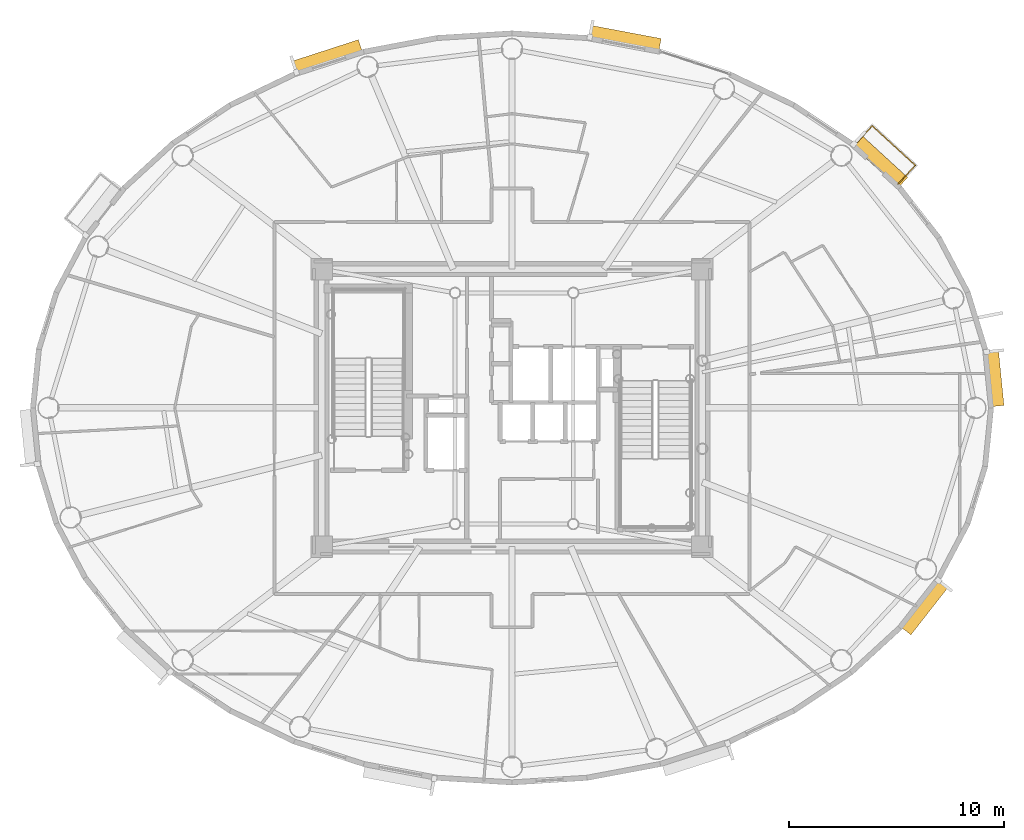
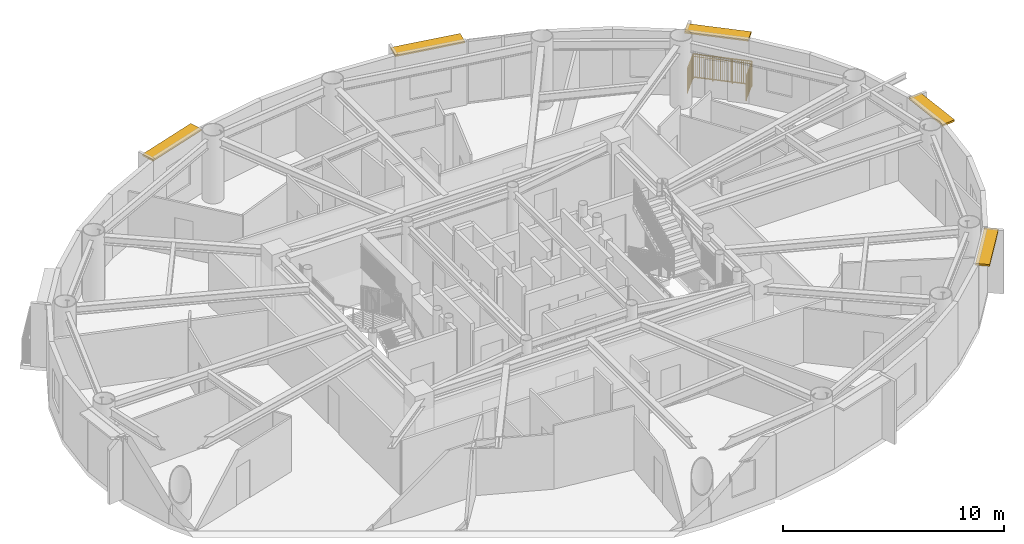
# One storey, part 17 of 17: 5 shading devices, 1 railing.
"""IFC4 building model written with IfcOpenShell, lengths in metres."""

from ifc_helpers import new_model, si_unit, direction, frame, origin, origin_2d, place, context, subcontext, project, spatial, rectangle, extrude, source, transform, mapped, material, layer, layer_set, type_object, element, save


model = new_model("IFC4")

# Units and contexts
model_context = context("Model", 3, precision=1e-05, world=origin(), true_north=direction((0.0, 1.0)))
body_context = subcontext(model_context, "Body", "Model", "MODEL_VIEW")
ifc_project = project(units=[si_unit("LENGTHUNIT", "METRE"), si_unit("AREAUNIT", "SQUARE_METRE"), si_unit("VOLUMEUNIT", "CUBIC_METRE"), si_unit("PLANEANGLEUNIT", "RADIAN"), si_unit("MASSUNIT", "GRAM", prefix="KILO")], contexts=[model_context])

# Site, building, storey
site_placement = place(None, origin())
site = spatial("IfcSite", under=ifc_project, at=site_placement, CompositionType="ELEMENT")
building_placement = place(site_placement, origin())
building = spatial("IfcBuilding", under=site, at=building_placement, Name="Linh Dai School and Residence Tower", CompositionType="ELEMENT")
storey_placement = place(building_placement, frame((0.0, 0.0, 276.75)))
storey = spatial("IfcBuildingStorey", under=building, at=storey_placement, Name="L68", CompositionType="ELEMENT", Elevation=276.75)

# Shading devices
ifc_material_1 = material(Name="Terracotta Ceramic Sunshade", Category="masonry")
ifc_layer = layer(ifc_material_1, 0.10009765625)
ifc_layer_set = layer_set([ifc_layer], Name="Terracotta Ceramic Sunshade")
shading_device_type = type_object("IfcShadingDeviceType", Name="SHD-TC-650", PredefinedType="USERDEFINED", material=ifc_layer_set)
shared_shape_1 = source(origin(), body_context, "Body", "SweptSolid", [
    extrude(rectangle(XDim=2.62353515625, YDim=0.64990234375, at=origin_2d()), origin(), (0.0, 0.0, 1.0), 0.10009765625),
])
shading_device_1_placement = place(storey_placement, frame((58.421875, 28.387939453125, 3.3798828125), z_axis=(0.0, 0.0, 1.0), x_axis=(0.100008034283, -0.994986629598, 0.0)))
element("IfcShadingDevice", 1, at=shading_device_1_placement, inside=storey, type_object=shading_device_type, Name="L68 Terracotta Horizontal Sunshade Band 01", ObjectType="SUNSHADE", PredefinedType="USERDEFINED", context=body_context, shape_type="MappedRepresentation", body=[
    mapped(shared_shape_1, transform((0.0, 0.0, 0.0), x_axis=(1.0, 0.0, 0.0), y_axis=(0.0, 1.0, 0.0), z_axis=(0.0, 0.0, 1.0), scale=1.0)),
])
shared_shape_2 = source(origin(), body_context, "Body", "SweptSolid", [
    extrude(rectangle(XDim=2.9541015625, YDim=0.64990234375, at=origin_2d()), origin(), (0.0, 0.0, 1.0), 0.10009765625),
])
shading_device_2_placement = place(storey_placement, frame((53.0888671875, 38.474609375, 3.3798828125), z_axis=(0.0, 0.0, 1.0), x_axis=(0.737105846394, -0.67577730889, 0.0)))
element("IfcShadingDevice", 2, at=shading_device_2_placement, inside=storey, type_object=shading_device_type, Name="L68 Terracotta Horizontal Sunshade Band 05", ObjectType="SUNSHADE", PredefinedType="USERDEFINED", context=body_context, shape_type="MappedRepresentation", body=[
    mapped(shared_shape_2, transform((0.0, 0.0, 0.0), x_axis=(1.0, 0.0, 0.0), y_axis=(0.0, 1.0, 0.0), z_axis=(0.0, 0.0, 1.0), scale=1.0)),
])
shared_shape_3 = source(origin(), body_context, "Body", "SweptSolid", [
    extrude(rectangle(XDim=3.323486328125, YDim=0.64990234375, at=origin_2d()), origin(), (0.0, 0.0, 1.0), 0.10009765625),
])
shading_device_3_placement = place(storey_placement, frame((41.24267578125, 44.160400390625, 3.3798828125), z_axis=(0.0, 0.0, 1.0), x_axis=(0.982785325002, -0.184751197452, 0.0)))
element("IfcShadingDevice", 3, at=shading_device_3_placement, inside=storey, type_object=shading_device_type, Name="L68 Terracotta Horizontal Sunshade Band 09", ObjectType="SUNSHADE", PredefinedType="USERDEFINED", context=body_context, shape_type="MappedRepresentation", body=[
    mapped(shared_shape_3, transform((0.0, 0.0, 0.0), x_axis=(1.0, 0.0, 0.0), y_axis=(0.0, 1.0, 0.0), z_axis=(0.0, 0.0, 1.0), scale=1.0)),
])
shared_shape_4 = source(origin(), body_context, "Body", "SweptSolid", [
    extrude(rectangle(XDim=3.26171875, YDim=0.64990234375, at=origin_2d()), origin(), (0.0, 0.0, 1.0), 0.10009765625),
])
shading_device_4_placement = place(storey_placement, frame((27.405029296875, 43.307373046875, 3.3798828125), z_axis=(0.0, 0.0, 1.0), x_axis=(0.951218243545, 0.308518805176, 0.0)))
element("IfcShadingDevice", 4, at=shading_device_4_placement, inside=storey, type_object=shading_device_type, Name="L68 Terracotta Horizontal Sunshade Band 13", ObjectType="SUNSHADE", PredefinedType="USERDEFINED", context=body_context, shape_type="MappedRepresentation", body=[
    mapped(shared_shape_4, transform((0.0, 0.0, 0.0), x_axis=(1.0, 0.0, 0.0), y_axis=(0.0, 1.0, 0.0), z_axis=(0.0, 0.0, 1.0), scale=1.0)),
])
shared_shape_5 = source(origin(), body_context, "Body", "SweptSolid", [
    extrude(rectangle(XDim=2.84033203125, YDim=0.64990234375, at=origin_2d()), origin(), (0.0, 0.0, 1.0), 0.10009765625),
])
shading_device_5_placement = place(storey_placement, frame((55.16650390625, 17.7646484375, 3.3798828125), z_axis=(0.0, 0.0, 1.0), x_axis=(-0.616310813471, -0.78750300393, 0.0)))
element("IfcShadingDevice", 5, at=shading_device_5_placement, inside=storey, type_object=shading_device_type, Name="L68 Terracotta Horizontal Sunshade Band 37", ObjectType="SUNSHADE", PredefinedType="USERDEFINED", context=body_context, shape_type="MappedRepresentation", body=[
    mapped(shared_shape_5, transform((0.0, 0.0, 0.0), x_axis=(1.0, 0.0, 0.0), y_axis=(0.0, 1.0, 0.0), z_axis=(0.0, 0.0, 1.0), scale=1.0)),
])

# Railing
ifc_material_2 = material(Name="Structural Steel S355JR", Category="steel")
railing_type = type_object("IfcRailingType", Name="RL-BAL-1400", PredefinedType="BALUSTRADE", material=ifc_material_2)
shared_shape_6 = source(origin(), body_context, "Body", "SweptSolid", [
    extrude(rectangle(XDim=0.048095703125, YDim=0.048095703125, at=origin_2d()), frame((0.0, 0.0, 1.3759765625), z_axis=(0.675930717816, 0.736965171981, 0.0), x_axis=(-0.736965171981, 0.675930717816, 0.0)), (0.0, 0.0, 1.0), 1.179931640625),
    extrude(rectangle(XDim=0.048095703125, YDim=0.048095703125, at=origin_2d()), frame((0.0, 0.0, 0.10009765625), z_axis=(0.675930717816, 0.736965171981, 0.0), x_axis=(-0.736965171981, 0.675930717816, 0.0)), (0.0, 0.0, 1.0), 1.179931640625),
    extrude(rectangle(XDim=0.030029296875, YDim=0.030029296875, at=origin_2d()), frame((0.0, 0.0, 1.239990234375), z_axis=(0.675930717816, 0.736965171981, 0.0), x_axis=(-0.736965171981, 0.675930717816, 0.0)), (0.0, 0.0, 1.0), 1.179931640625),
    extrude(rectangle(XDim=0.02001953125, YDim=0.02001953125, at=origin_2d()), frame((0.061279296875, 0.06689453125, 0.10009765625)), (0.0, 0.0, 1.0), 1.251708984375),
    extrude(rectangle(XDim=0.02001953125, YDim=0.02001953125, at=origin_2d()), frame((0.122802734375, 0.1337890625, 0.10009765625)), (0.0, 0.0, 1.0), 1.251708984375),
    extrude(rectangle(XDim=0.02001953125, YDim=0.02001953125, at=origin_2d()), frame((0.18408203125, 0.20068359375, 0.10009765625)), (0.0, 0.0, 1.0), 1.251708984375),
    extrude(rectangle(XDim=0.02001953125, YDim=0.02001953125, at=origin_2d()), frame((0.245361328125, 0.267578125, 0.10009765625)), (0.0, 0.0, 1.0), 1.251708984375),
    extrude(rectangle(XDim=0.02001953125, YDim=0.02001953125, at=origin_2d()), frame((0.306884765625, 0.33447265625, 0.10009765625)), (0.0, 0.0, 1.0), 1.251708984375),
    extrude(rectangle(XDim=0.02001953125, YDim=0.02001953125, at=origin_2d()), frame((0.3681640625, 0.4013671875, 0.10009765625)), (0.0, 0.0, 1.0), 1.251708984375),
    extrude(rectangle(XDim=0.02001953125, YDim=0.02001953125, at=origin_2d()), frame((0.429443359375, 0.46826171875, 0.10009765625)), (0.0, 0.0, 1.0), 1.251708984375),
    extrude(rectangle(XDim=0.02001953125, YDim=0.02001953125, at=origin_2d()), frame((0.49072265625, 0.53515625, 0.10009765625)), (0.0, 0.0, 1.0), 1.251708984375),
    extrude(rectangle(XDim=0.02001953125, YDim=0.02001953125, at=origin_2d()), frame((0.55224609375, 0.60205078125, 0.10009765625)), (0.0, 0.0, 1.0), 1.251708984375),
    extrude(rectangle(XDim=0.02001953125, YDim=0.02001953125, at=origin_2d()), frame((0.613525390625, 0.6689453125, 0.10009765625)), (0.0, 0.0, 1.0), 1.251708984375),
    extrude(rectangle(XDim=0.02001953125, YDim=0.02001953125, at=origin_2d()), frame((0.6748046875, 0.73583984375, 0.10009765625)), (0.0, 0.0, 1.0), 1.251708984375),
    extrude(rectangle(XDim=0.02001953125, YDim=0.02001953125, at=origin_2d()), frame((0.736328125, 0.802734375, 0.10009765625)), (0.0, 0.0, 1.0), 1.251708984375),
    extrude(rectangle(XDim=0.048095703125, YDim=0.048095703125, at=origin_2d()), frame((0.797607421875, 0.86962890625, 1.3759765625), z_axis=(0.737083269113, -0.675801934292, 0.0), x_axis=(0.675801934292, 0.737083269113, 0.0)), (0.0, 0.0, 1.0), 2.717041015625),
    extrude(rectangle(XDim=0.048095703125, YDim=0.048095703125, at=origin_2d()), frame((0.797607421875, 0.86962890625, 0.10009765625), z_axis=(0.737083269113, -0.675801934292, 0.0), x_axis=(0.675801934292, 0.737083269113, 0.0)), (0.0, 0.0, 1.0), 2.717041015625),
    extrude(rectangle(XDim=0.030029296875, YDim=0.030029296875, at=origin_2d()), frame((0.797607421875, 0.86962890625, 1.239990234375), z_axis=(0.737083269113, -0.675801934292, 0.0), x_axis=(0.675801934292, 0.737083269113, 0.0)), (0.0, 0.0, 1.0), 2.717041015625),
    extrude(rectangle(XDim=0.02001953125, YDim=0.02001953125, at=origin_2d()), frame((0.869140625, 0.803955078125, 0.10009765625)), (0.0, 0.0, 1.0), 1.251708984375),
    extrude(rectangle(XDim=0.02001953125, YDim=0.02001953125, at=origin_2d()), frame((0.940673828125, 0.738525390625, 0.10009765625)), (0.0, 0.0, 1.0), 1.251708984375),
    extrude(rectangle(XDim=0.02001953125, YDim=0.02001953125, at=origin_2d()), frame((1.01220703125, 0.6728515625, 0.10009765625)), (0.0, 0.0, 1.0), 1.251708984375),
    extrude(rectangle(XDim=0.02001953125, YDim=0.02001953125, at=origin_2d()), frame((1.083740234375, 0.607421875, 0.10009765625)), (0.0, 0.0, 1.0), 1.251708984375),
    extrude(rectangle(XDim=0.02001953125, YDim=0.02001953125, at=origin_2d()), frame((1.1552734375, 0.541748046875, 0.10009765625)), (0.0, 0.0, 1.0), 1.251708984375),
    extrude(rectangle(XDim=0.02001953125, YDim=0.02001953125, at=origin_2d()), frame((1.226806640625, 0.47607421875, 0.10009765625)), (0.0, 0.0, 1.0), 1.251708984375),
    extrude(rectangle(XDim=0.02001953125, YDim=0.02001953125, at=origin_2d()), frame((1.29833984375, 0.41064453125, 0.10009765625)), (0.0, 0.0, 1.0), 1.251708984375),
    extrude(rectangle(XDim=0.02001953125, YDim=0.02001953125, at=origin_2d()), frame((1.369873046875, 0.344970703125, 0.10009765625)), (0.0, 0.0, 1.0), 1.251708984375),
    extrude(rectangle(XDim=0.02001953125, YDim=0.02001953125, at=origin_2d()), frame((1.512939453125, 0.2138671875, 0.10009765625)), (0.0, 0.0, 1.0), 1.251708984375),
    extrude(rectangle(XDim=0.02001953125, YDim=0.02001953125, at=origin_2d()), frame((1.58447265625, 0.148193359375, 0.10009765625)), (0.0, 0.0, 1.0), 1.251708984375),
    extrude(rectangle(XDim=0.02001953125, YDim=0.02001953125, at=origin_2d()), frame((1.656005859375, 0.082763671875, 0.10009765625)), (0.0, 0.0, 1.0), 1.251708984375),
    extrude(rectangle(XDim=0.02001953125, YDim=0.02001953125, at=origin_2d()), frame((1.7275390625, 0.01708984375, 0.10009765625)), (0.0, 0.0, 1.0), 1.251708984375),
    extrude(rectangle(XDim=0.02001953125, YDim=0.02001953125, at=origin_2d()), frame((1.798828125, -0.04833984375, 0.10009765625)), (0.0, 0.0, 1.0), 1.251708984375),
    extrude(rectangle(XDim=0.02001953125, YDim=0.02001953125, at=origin_2d()), frame((1.870361328125, -0.114013671875, 0.10009765625)), (0.0, 0.0, 1.0), 1.251708984375),
    extrude(rectangle(XDim=0.02001953125, YDim=0.02001953125, at=origin_2d()), frame((1.94189453125, -0.1796875, 0.10009765625)), (0.0, 0.0, 1.0), 1.251708984375),
    extrude(rectangle(XDim=0.02001953125, YDim=0.02001953125, at=origin_2d()), frame((2.013427734375, -0.2451171875, 0.10009765625)), (0.0, 0.0, 1.0), 1.251708984375),
    extrude(rectangle(XDim=0.02001953125, YDim=0.02001953125, at=origin_2d()), frame((2.0849609375, -0.310791015625, 0.10009765625)), (0.0, 0.0, 1.0), 1.251708984375),
    extrude(rectangle(XDim=0.02001953125, YDim=0.02001953125, at=origin_2d()), frame((2.22802734375, -0.44189453125, 0.10009765625)), (0.0, 0.0, 1.0), 1.251708984375),
    extrude(rectangle(XDim=0.02001953125, YDim=0.02001953125, at=origin_2d()), frame((2.299560546875, -0.507568359375, 0.10009765625)), (0.0, 0.0, 1.0), 1.251708984375),
    extrude(rectangle(XDim=0.02001953125, YDim=0.02001953125, at=origin_2d()), frame((2.37109375, -0.572998046875, 0.10009765625)), (0.0, 0.0, 1.0), 1.251708984375),
    extrude(rectangle(XDim=0.02001953125, YDim=0.02001953125, at=origin_2d()), frame((2.442626953125, -0.638671875, 0.10009765625)), (0.0, 0.0, 1.0), 1.251708984375),
    extrude(rectangle(XDim=0.02001953125, YDim=0.02001953125, at=origin_2d()), frame((2.51416015625, -0.704345703125, 0.10009765625)), (0.0, 0.0, 1.0), 1.251708984375),
    extrude(rectangle(XDim=0.02001953125, YDim=0.02001953125, at=origin_2d()), frame((2.585693359375, -0.769775390625, 0.10009765625)), (0.0, 0.0, 1.0), 1.251708984375),
    extrude(rectangle(XDim=0.02001953125, YDim=0.02001953125, at=origin_2d()), frame((2.6572265625, -0.83544921875, 0.10009765625)), (0.0, 0.0, 1.0), 1.251708984375),
    extrude(rectangle(XDim=0.02001953125, YDim=0.02001953125, at=origin_2d()), frame((2.728759765625, -0.90087890625, 0.10009765625)), (0.0, 0.0, 1.0), 1.251708984375),
    extrude(rectangle(XDim=0.048095703125, YDim=0.048095703125, at=origin_2d()), frame((2.80029296875, -0.966552734375, 1.3759765625), z_axis=(-0.675715259685, -0.737162728187, 0.0), x_axis=(0.737162728187, -0.675715259685, 0.0)), (0.0, 0.0, 1.0), 1.179931640625),
    extrude(rectangle(XDim=0.048095703125, YDim=0.048095703125, at=origin_2d()), frame((2.80029296875, -0.966552734375, 0.10009765625), z_axis=(-0.675715259685, -0.737162728187, 0.0), x_axis=(0.737162728187, -0.675715259685, 0.0)), (0.0, 0.0, 1.0), 1.179931640625),
    extrude(rectangle(XDim=0.030029296875, YDim=0.030029296875, at=origin_2d()), frame((2.80029296875, -0.966552734375, 1.239990234375), z_axis=(-0.675715259685, -0.737162728187, 0.0), x_axis=(0.737162728187, -0.675715259685, 0.0)), (0.0, 0.0, 1.0), 1.179931640625),
    extrude(rectangle(XDim=0.02001953125, YDim=0.02001953125, at=origin_2d()), frame((2.739013671875, -1.033447265625, 0.10009765625)), (0.0, 0.0, 1.0), 1.251708984375),
    extrude(rectangle(XDim=0.02001953125, YDim=0.02001953125, at=origin_2d()), frame((2.677734375, -1.100341796875, 0.10009765625)), (0.0, 0.0, 1.0), 1.251708984375),
    extrude(rectangle(XDim=0.02001953125, YDim=0.02001953125, at=origin_2d()), frame((2.6162109375, -1.167236328125, 0.10009765625)), (0.0, 0.0, 1.0), 1.251708984375),
    extrude(rectangle(XDim=0.02001953125, YDim=0.02001953125, at=origin_2d()), frame((2.554931640625, -1.234130859375, 0.10009765625)), (0.0, 0.0, 1.0), 1.251708984375),
    extrude(rectangle(XDim=0.02001953125, YDim=0.02001953125, at=origin_2d()), frame((2.49365234375, -1.301025390625, 0.10009765625)), (0.0, 0.0, 1.0), 1.251708984375),
    extrude(rectangle(XDim=0.02001953125, YDim=0.02001953125, at=origin_2d()), frame((2.432373046875, -1.367919921875, 0.10009765625)), (0.0, 0.0, 1.0), 1.251708984375),
    extrude(rectangle(XDim=0.02001953125, YDim=0.02001953125, at=origin_2d()), frame((2.370849609375, -1.43505859375, 0.10009765625)), (0.0, 0.0, 1.0), 1.251708984375),
    extrude(rectangle(XDim=0.02001953125, YDim=0.02001953125, at=origin_2d()), frame((2.3095703125, -1.501953125, 0.10009765625)), (0.0, 0.0, 1.0), 1.251708984375),
    extrude(rectangle(XDim=0.02001953125, YDim=0.02001953125, at=origin_2d()), frame((2.248291015625, -1.56884765625, 0.10009765625)), (0.0, 0.0, 1.0), 1.251708984375),
    extrude(rectangle(XDim=0.02001953125, YDim=0.02001953125, at=origin_2d()), frame((2.18701171875, -1.6357421875, 0.10009765625)), (0.0, 0.0, 1.0), 1.251708984375),
    extrude(rectangle(XDim=0.02001953125, YDim=0.02001953125, at=origin_2d()), frame((2.12548828125, -1.70263671875, 0.10009765625)), (0.0, 0.0, 1.0), 1.251708984375),
    extrude(rectangle(XDim=0.02001953125, YDim=0.02001953125, at=origin_2d()), frame((2.064208984375, -1.76953125, 0.10009765625)), (0.0, 0.0, 1.0), 1.251708984375),
    extrude(rectangle(XDim=0.0419921875, YDim=0.0419921875, at=origin_2d()), origin(), (0.0, 0.0, 1.0), 1.3759765625),
    extrude(rectangle(XDim=0.0419921875, YDim=0.0419921875, at=origin_2d()), frame((0.797607421875, 0.86962890625, 0.0)), (0.0, 0.0, 1.0), 1.3759765625),
    extrude(rectangle(XDim=0.0419921875, YDim=0.0419921875, at=origin_2d()), frame((1.465087890625, 0.257568359375, 0.0)), (0.0, 0.0, 1.0), 1.3759765625),
    extrude(rectangle(XDim=0.0419921875, YDim=0.0419921875, at=origin_2d()), frame((2.1328125, -0.3544921875, 0.0)), (0.0, 0.0, 1.0), 1.3759765625),
    extrude(rectangle(XDim=0.0419921875, YDim=0.0419921875, at=origin_2d()), frame((2.80029296875, -0.966552734375, 0.0)), (0.0, 0.0, 1.0), 1.3759765625),
    extrude(rectangle(XDim=0.0419921875, YDim=0.0419921875, at=origin_2d()), frame((2.0029296875, -1.83642578125, 0.0)), (0.0, 0.0, 1.0), 1.3759765625),
])
railing_placement = place(storey_placement, frame((51.9521484375, 39.245361328125, 0.0)))
element("IfcRailing", 6, at=railing_placement, inside=storey, type_object=railing_type, Name="L68 Balcony Safety Balustrade 05", PredefinedType="BALUSTRADE", context=body_context, shape_type="MappedRepresentation", body=[
    mapped(shared_shape_6, transform((0.0, 0.0, 0.0), x_axis=(1.0, 0.0, 0.0), y_axis=(0.0, 1.0, 0.0), z_axis=(0.0, 0.0, 1.0), scale=1.0)),
])

save(model, "model.ifc")
